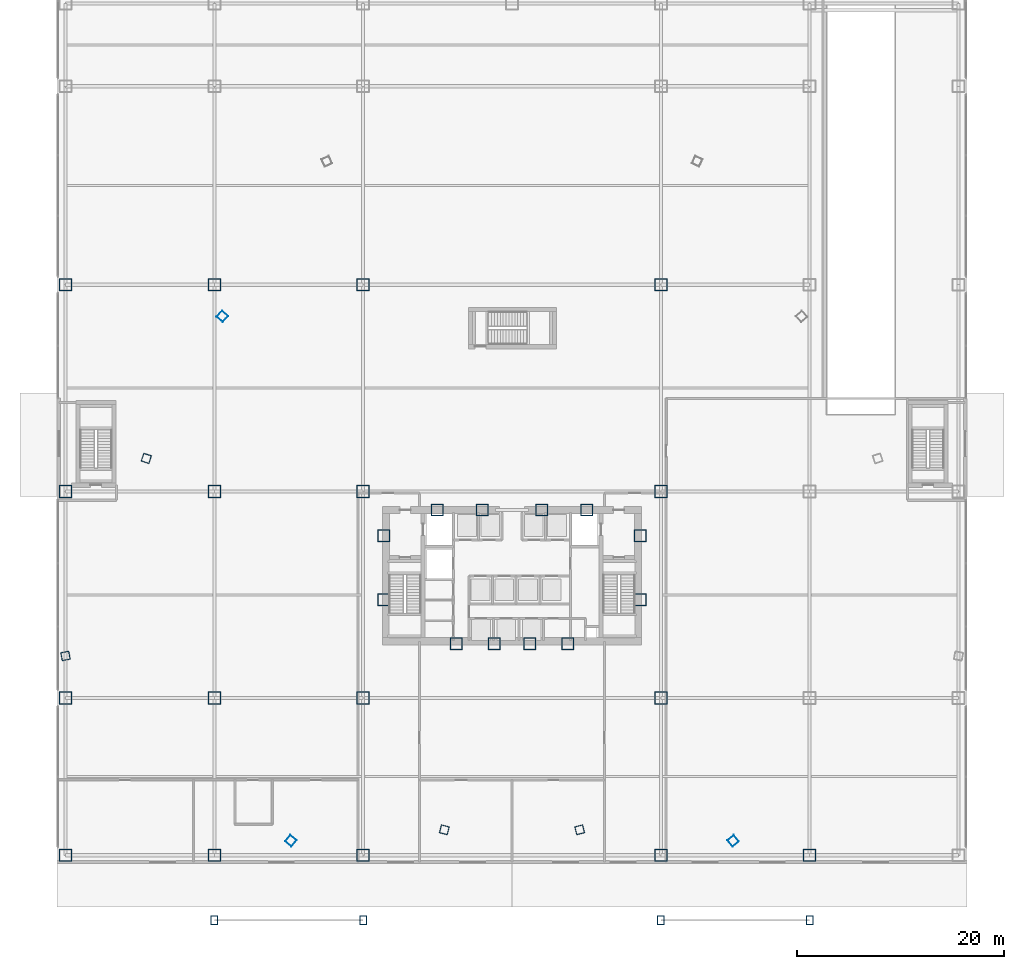
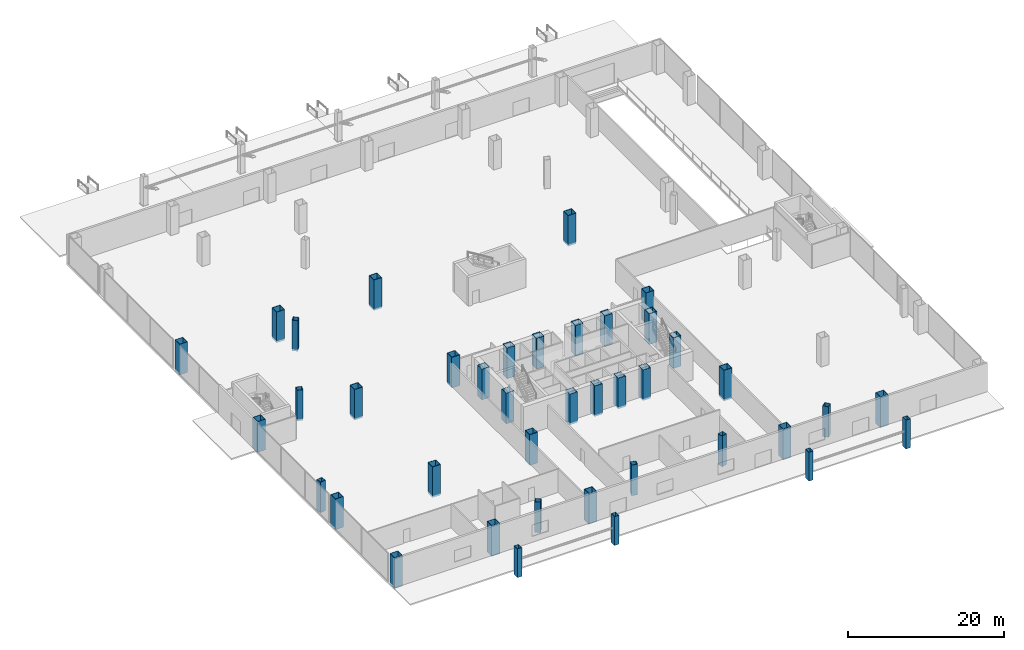
# One storey, part 1 of 58: 40 columns.
"""IFC4 building model written with IfcOpenShell, lengths in metres."""

from ifc_helpers import new_model, si_unit, direction, frame, origin, origin_2d, place, context, subcontext, project, spatial, hollow_rectangle, extrude, source, transform, mapped, material, material_profile, profile_set, type_object, element, save


model = new_model("IFC4")

# Units and contexts
model_context = context("Model", 3, precision=1e-05, world=origin(), true_north=direction((0.0, 1.0)))
body_context = subcontext(model_context, "Body", "Model", "MODEL_VIEW")
ifc_project = project(units=[si_unit("LENGTHUNIT", "METRE"), si_unit("AREAUNIT", "SQUARE_METRE"), si_unit("VOLUMEUNIT", "CUBIC_METRE"), si_unit("PLANEANGLEUNIT", "RADIAN"), si_unit("MASSUNIT", "GRAM", prefix="KILO"), si_unit("THERMODYNAMICTEMPERATUREUNIT", "KELVIN"), si_unit("POWERUNIT", "WATT")], contexts=[model_context])

# Site, building, storey
site_placement = place(None, origin())
site = spatial("IfcSite", under=ifc_project, at=site_placement, CompositionType="ELEMENT")
building_placement = place(site_placement, origin())
building = spatial("IfcBuilding", under=site, at=building_placement, Name="Yunzhuo Pagoda Commons", CompositionType="ELEMENT")
storey_placement = place(building_placement, origin())
storey = spatial("IfcBuildingStorey", under=building, at=storey_placement, Name="L01", CompositionType="ELEMENT", Elevation=0.0)

# Columns
ifc_material_1 = material(Name="Structural steel Q420B", Category="steel")
ifc_material_profile_1 = material_profile(ifc_material_1, hollow_rectangle(XDim=1.14990234375, YDim=1.14990234375, WallThickness=0.048095703125, at=origin_2d()), Name="Structural steel Q420B")
ifc_profile_set_1 = profile_set([ifc_material_profile_1], Name="Structural steel Q420B")
column_type_1 = type_object("IfcColumnType", Name="C-COR Column BOX 1150x1150x48", PredefinedType="COLUMN", material=ifc_profile_set_1)
shared_shape_1 = source(origin(), body_context, "Body", "SweptSolid", [
    extrude(hollow_rectangle(XDim=1.14990234375, YDim=1.14990234375, WallThickness=0.048095703125, at=origin_2d()), origin(), (0.0, 0.0, 1.0), 4.80029296875),
])
for number, where, z_axis, x_axis, name in (
    (1, (42.587890625, 27.25, -0.280029296875), (0.0, 0.0, 1.0), (1.0, 0.0, 0.0), "L01 core composite column F1C1"),
    (2, (46.27197265625, 27.25, -0.280029296875), (0.0, 0.0, 1.0), (1.0, 0.0, 0.0), "L01 core composite column F1C2"),
    (3, (49.728515625, 27.25, -0.280029296875), (0.0, 0.0, 1.0), (1.0, 0.0, 0.0), "L01 core composite column F1C3"),
    (4, (53.412109375, 27.25, -0.280029296875), (0.0, 0.0, 1.0), (1.0, 0.0, 0.0), "L01 core composite column F1C4"),
    (5, (60.39990234375, 31.513427734375, -0.280029296875), (0.0, 0.0, 1.0), (1.0, 0.0, 0.0), "L01 core composite column F2C1"),
    (6, (60.39990234375, 37.72900390625, -0.280029296875), (0.0, 0.0, 1.0), (1.0, 0.0, 0.0), "L01 core composite column F2C2"),
    (7, (55.218994140625, 40.199951171875, -0.280029296875), (0.0, 0.0, 1.0), (1.0, 0.0, 0.0), "L01 core composite column F2C3"),
    (8, (50.89404296875, 40.199951171875, -0.280029296875), (0.0, 0.0, 1.0), (1.0, 0.0, 0.0), "L01 core composite column F2C4"),
    (9, (45.10595703125, 40.199951171875, -0.280029296875), (0.0, 0.0, 1.0), (1.0, 0.0, 0.0), "L01 core composite column F3C1"),
    (10, (40.781005859375, 40.199951171875, -0.280029296875), (0.0, 0.0, 1.0), (1.0, 0.0, 0.0), "L01 core composite column F3C2"),
    (11, (35.60009765625, 37.72900390625, -0.280029296875), (0.0, 0.0, 1.0), (1.0, 0.0, 0.0), "L01 core composite column F3C3"),
    (12, (35.60009765625, 31.513427734375, -0.280029296875), (0.0, 0.0, 1.0), (1.0, 0.0, 0.0), "L01 core composite column F3C4"),
):
    element("IfcColumn", number, at=place(storey_placement, frame(where, z_axis=z_axis, x_axis=x_axis)), inside=storey, type_object=column_type_1, Name=name, PredefinedType="COLUMN", context=body_context, shape_type="MappedRepresentation", body=[
        mapped(shared_shape_1, transform((0.0, 0.0, 0.0), scale=1.0)),
    ])
ifc_material_profile_2 = material_profile(ifc_material_1, hollow_rectangle(XDim=1.199951171875, YDim=1.199951171875, WallThickness=0.050048828125, at=origin_2d()), Name="Structural steel Q420B")
ifc_profile_set_2 = profile_set([ifc_material_profile_2], Name="Structural steel Q420B")
column_type_2 = type_object("IfcColumnType", Name="C-POD Column BOX 1200x1200x50", PredefinedType="COLUMN", material=ifc_profile_set_2)
shared_shape_2 = source(origin(), body_context, "Body", "SweptSolid", [
    extrude(hollow_rectangle(XDim=1.199951171875, YDim=1.199951171875, WallThickness=0.050048828125, at=origin_2d()), origin(), (0.0, 0.0, 1.0), 4.80029296875),
])
for number, where, z_axis, x_axis, name in (
    (13, (4.800048828125, 6.800048828125, -0.280029296875), (0.0, 0.0, 1.0), (1.0, 0.0, 0.0), "L01 podium column P1_1"),
    (14, (4.800048828125, 22.0, -0.280029296875), (0.0, 0.0, 1.0), (1.0, 0.0, 0.0), "L01 podium column P1_2"),
    (15, (4.800048828125, 42.0, -0.280029296875), (0.0, 0.0, 1.0), (1.0, 0.0, 0.0), "L01 podium column P1_3"),
    (16, (4.800048828125, 62.0, -0.280029296875), (0.0, 0.0, 1.0), (1.0, 0.0, 0.0), "L01 podium column P1_4"),
    (17, (19.199951171875, 6.800048828125, -0.280029296875), (0.0, 0.0, 1.0), (1.0, 0.0, 0.0), "L01 podium column P2_1"),
    (18, (19.199951171875, 22.0, -0.280029296875), (0.0, 0.0, 1.0), (1.0, 0.0, 0.0), "L01 podium column P2_2"),
    (19, (19.199951171875, 42.0, -0.280029296875), (0.0, 0.0, 1.0), (1.0, 0.0, 0.0), "L01 podium column P2_3"),
    (20, (19.199951171875, 62.0, -0.280029296875), (0.0, 0.0, 1.0), (1.0, 0.0, 0.0), "L01 podium column P2_4"),
    (21, (33.60009765625, 6.800048828125, -0.280029296875), (0.0, 0.0, 1.0), (1.0, 0.0, 0.0), "L01 podium column P3_1"),
    (22, (33.60009765625, 22.0, -0.280029296875), (0.0, 0.0, 1.0), (1.0, 0.0, 0.0), "L01 podium column P3_2"),
    (23, (33.60009765625, 42.0, -0.280029296875), (0.0, 0.0, 1.0), (1.0, 0.0, 0.0), "L01 podium column P3_3"),
    (24, (33.60009765625, 62.0, -0.280029296875), (0.0, 0.0, 1.0), (1.0, 0.0, 0.0), "L01 podium column P3_4"),
    (25, (62.39990234375, 6.800048828125, -0.280029296875), (0.0, 0.0, 1.0), (1.0, 0.0, 0.0), "L01 podium column P4_1"),
    (26, (62.39990234375, 22.0, -0.280029296875), (0.0, 0.0, 1.0), (1.0, 0.0, 0.0), "L01 podium column P4_2"),
    (27, (62.39990234375, 42.0, -0.280029296875), (0.0, 0.0, 1.0), (1.0, 0.0, 0.0), "L01 podium column P4_3"),
    (28, (62.39990234375, 62.0, -0.280029296875), (0.0, 0.0, 1.0), (1.0, 0.0, 0.0), "L01 podium column P4_4"),
    (29, (76.800048828125, 6.800048828125, -0.280029296875), (0.0, 0.0, 1.0), (1.0, 0.0, 0.0), "L01 podium column P5_1"),
):
    element("IfcColumn", number, at=place(storey_placement, frame(where, z_axis=z_axis, x_axis=x_axis)), inside=storey, type_object=column_type_2, Name=name, PredefinedType="COLUMN", context=body_context, shape_type="MappedRepresentation", body=[
        mapped(shared_shape_2, transform((0.0, 0.0, 0.0), scale=1.0)),
    ])
ifc_material_profile_3 = material_profile(ifc_material_1, hollow_rectangle(XDim=0.800048828125, YDim=0.800048828125, WallThickness=0.031982421875, at=origin_2d()), Name="Structural steel Q420B")
ifc_profile_set_3 = profile_set([ifc_material_profile_3], Name="Structural steel Q420B")
column_type_3 = type_object("IfcColumnType", Name="C-BUT Column BOX 800x800x32", PredefinedType="COLUMN", material=ifc_profile_set_3)
shared_shape_3 = source(origin(), body_context, "Body", "SweptSolid", [
    extrude(hollow_rectangle(XDim=0.800048828125, YDim=0.800048828125, WallThickness=0.031982421875, at=origin_2d()), origin(), (0.0, 0.0, 1.0), 4.80029296875),
])
for number, where, z_axis, x_axis, name in (
    (30, (26.60302734375, 8.199951171875, -0.280029296875), (0.0, 0.0, 1.0), (0.766044443119, -0.642787609687, 0.0), "L01 podium transfer support column PR_F1C1"),
    (31, (41.45166015625, 9.260986328125, -0.280029296875), (0.0, 0.0, 1.0), (0.965925826289, -0.258819045103, 0.0), "L01 podium transfer support column PR_F1C2"),
    (32, (54.54833984375, 9.260986328125, -0.280029296875), (0.0, 0.0, 1.0), (0.965925826289, 0.258819045103, 0.0), "L01 podium transfer support column PR_F1C3"),
    (33, (69.39697265625, 8.199951171875, -0.280029296875), (0.0, 0.0, 1.0), (0.766044443119, 0.642787609687, 0.0), "L01 podium transfer support column PR_F1C4"),
    (34, (19.973388671875, 58.935302734375, -0.280029296875), (0.0, 0.0, 1.0), (-0.669130606359, -0.743144825477, 0.0), "L01 podium transfer support column PR_F3C2"),
    (35, (12.62109375, 45.195556640625, -0.280029296875), (0.0, 0.0, 1.0), (-0.309016994375, -0.951056516295, 0.0), "L01 podium transfer support column PR_F3C3"),
    (36, (4.801025390625, 26.0830078125, -0.280029296875), (0.0, 0.0, 1.0), (0.173648177667, -0.984807753012, 0.0), "L01 podium transfer support column PR_F3C4"),
):
    element("IfcColumn", number, at=place(storey_placement, frame(where, z_axis=z_axis, x_axis=x_axis)), inside=storey, type_object=column_type_3, Name=name, PredefinedType="COLUMN", context=body_context, shape_type="MappedRepresentation", body=[
        mapped(shared_shape_3, transform((0.0, 0.0, 0.0), scale=1.0)),
    ])
ifc_material_2 = material(Name="Structural steel Q355B", Category="steel")
ifc_material_profile_4 = material_profile(ifc_material_2, hollow_rectangle(XDim=0.64990234375, YDim=0.85009765625, WallThickness=0.030029296875, at=origin_2d()), Name="Structural steel Q355B")
ifc_profile_set_4 = profile_set([ifc_material_profile_4], Name="Structural steel Q355B")
column_type_4 = type_object("IfcColumnType", Name="C-PIL1 Pilaster BOX 850x650x30", PredefinedType="PILASTER", material=ifc_profile_set_4)
shared_shape_4 = source(origin(), body_context, "Body", "SweptSolid", [
    extrude(hollow_rectangle(XDim=0.64990234375, YDim=0.85009765625, WallThickness=0.030029296875, at=origin_2d()), origin(), (0.0, 0.0, 1.0), 4.520263671875),
])
for number, where, z_axis, x_axis, name in (
    (37, (19.199951171875, 0.5, 0.0), (0.0, 0.0, 1.0), (1.0, 0.0, 0.0), "South entrance colonnade pilaster S1"),
    (38, (33.60009765625, 0.5, 0.0), (0.0, 0.0, 1.0), (1.0, 0.0, 0.0), "South entrance colonnade pilaster S2"),
    (39, (62.39990234375, 0.5, 0.0), (0.0, 0.0, 1.0), (1.0, 0.0, 0.0), "South entrance colonnade pilaster S3"),
    (40, (76.800048828125, 0.5, 0.0), (0.0, 0.0, 1.0), (1.0, 0.0, 0.0), "South entrance colonnade pilaster S4"),
):
    element("IfcColumn", number, at=place(storey_placement, frame(where, z_axis=z_axis, x_axis=x_axis)), inside=storey, type_object=column_type_4, Name=name, PredefinedType="PILASTER", context=body_context, shape_type="MappedRepresentation", body=[
        mapped(shared_shape_4, transform((0.0, 0.0, 0.0), scale=1.0)),
    ])

save(model, "model.ifc")
